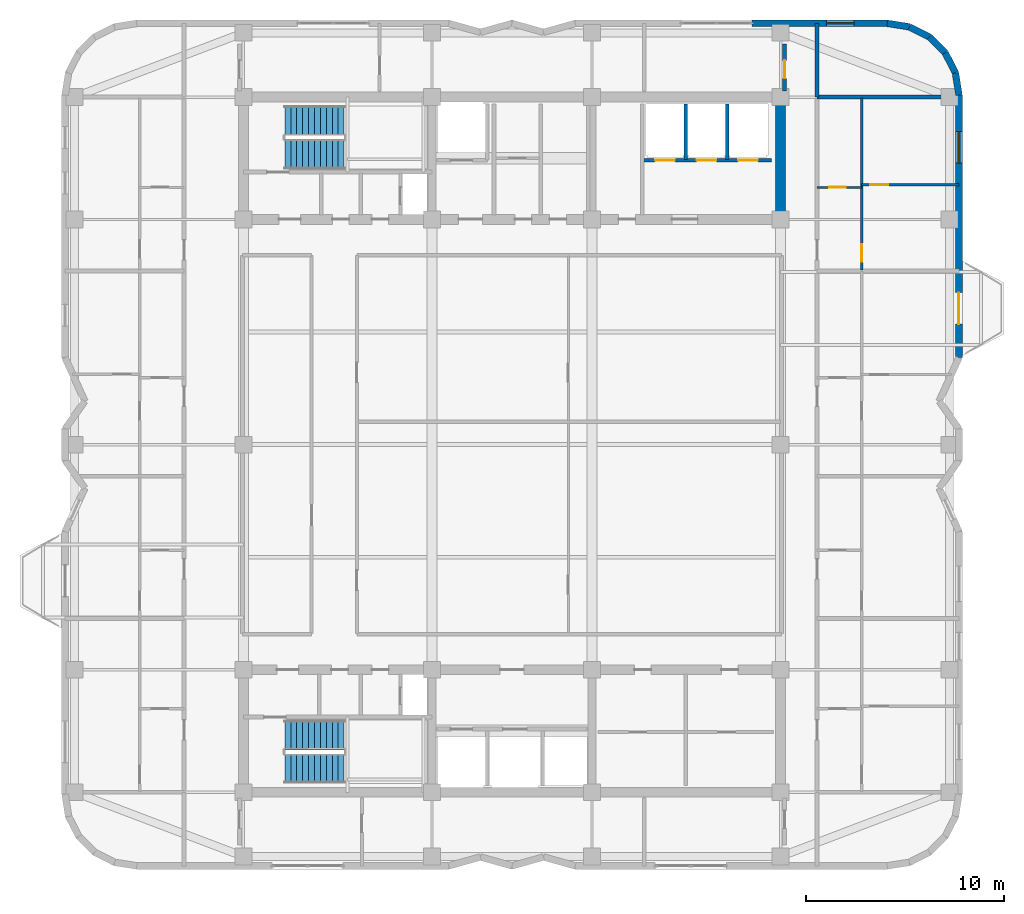
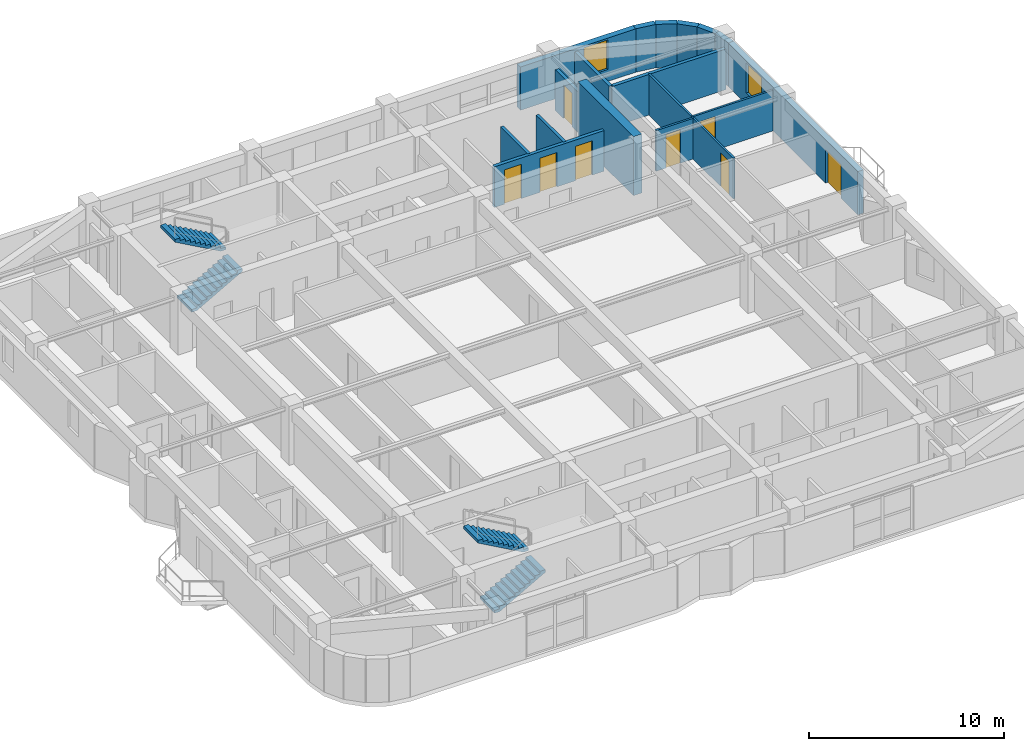
# One storey, part 12 of 14: 17 walls, 8 doors, 4 stair flights, 2 windows, 10 openings, 2 elements without a shape of their own.
"""IFC4 building model written with IfcOpenShell, lengths in metres."""

from ifc_helpers import new_model, si_unit, direction, frame, frame_2d, origin, place, context, subcontext, project, spatial, polyline, rectangle, outline, extrude, material, layer, layer_set, type_object, element, fill, aggregate, save


model = new_model("IFC4")

# Units and contexts
model_context = context("Model", 3, precision=1e-05, world=origin(), true_north=direction((0.0, 1.0)))
body_context = subcontext(model_context, "Body", "Model", "MODEL_VIEW")
ifc_project = project(units=[si_unit("LENGTHUNIT", "METRE"), si_unit("AREAUNIT", "SQUARE_METRE"), si_unit("VOLUMEUNIT", "CUBIC_METRE"), si_unit("PLANEANGLEUNIT", "RADIAN"), si_unit("MASSUNIT", "GRAM", prefix="KILO")], contexts=[model_context])

# Site, building, storey
site_placement = place(None, origin())
site = spatial("IfcSite", under=ifc_project, at=site_placement, CompositionType="ELEMENT")
building_placement = place(site_placement, origin())
building = spatial("IfcBuilding", under=site, at=building_placement, Name="Svetorya Sky Lyceum", CompositionType="ELEMENT")
storey_placement = place(building_placement, frame((0.0, 0.0, 218.39990234375)))
storey = spatial("IfcBuildingStorey", under=building, at=storey_placement, Name="L54", CompositionType="ELEMENT", Elevation=218.39990234375)

# Wall
ifc_material_1 = material(Name="Concrete C50/60", Category="concrete")
ifc_layer_1 = layer(ifc_material_1, 0.5)
ifc_layer_set_1 = layer_set([ifc_layer_1], Name="Concrete C50/60")
wall_type_1 = type_object("IfcWallType", Name="WL-CORE-500", PredefinedType="SHEAR", material=ifc_layer_set_1)
wall_1_placement = place(storey_placement, frame((52.800048828125, 39.85009765625, 0.0), z_axis=(0.0, 0.0, 1.0), x_axis=(0.0, 1.0, 0.0)))
element("IfcWall", 1, at=wall_1_placement, inside=storey, type_object=wall_type_1, Name="L54 NC East Core Shear Wall", PredefinedType="SHEAR", context=body_context, shape_type="SweptSolid", body=[
    extrude(rectangle(XDim=5.699951171875, YDim=0.5, at=frame_2d((2.85009765625, 0.0))), origin(), (0.0, 0.0, 1.0), 3.7001953125),
])

# Wall, openings, door, window
ifc_material_2 = material(Name="Putilovo limestone rainscreen on autoclaved cellular masonry", Category="masonry")
ifc_layer_2 = layer(ifc_material_2, 0.340087890625)
ifc_layer_set_2 = layer_set([ifc_layer_2], Name="Putilovo limestone rainscreen on autoclaved cellular masonry")
wall_type_2 = type_object("IfcWallType", Name="WL-EXT-340", PredefinedType="SOLIDWALL", material=ifc_layer_set_2)
wall_2_placement = place(storey_placement, frame((61.830078125, 32.60009765625, 0.0), z_axis=(0.0, 0.0, 1.0), x_axis=(0.0, 1.0, 0.0)))
wall_2 = element("IfcWall", 2, at=wall_2_placement, inside=storey, type_object=wall_type_2, Name="L54 Limestone Exterior Wall 23M", PredefinedType="SOLIDWALL", context=body_context, shape_type="SweptSolid", body=[
    extrude(rectangle(XDim=13.2998046875, YDim=0.340087890625, at=frame_2d((6.64990234375, 0.0))), origin(), (0.0, 0.0, 1.0), 2.72021484375),
])
opening_1_placement = place(wall_2_placement, frame((1.699951171875, 0.0, 0.0)))
opening_1 = element("IfcOpeningElement", 3, at=opening_1_placement, cuts=wall_2, Name="Opening D-BL1", PredefinedType="OPENING", context=body_context, shape_type="SweptSolid", body=[
    extrude(rectangle(XDim=1.60009765625, YDim=2.10009765625, at=frame_2d((0.800048828125, 1.050048828125))), frame((0.0, 0.179931640625, 0.0), z_axis=(0.0, -1.0, 0.0), x_axis=(1.0, 0.0, 0.0)), (0.0, 0.0, 1.0), 0.360107421875),
])
opening_2_placement = place(wall_2_placement, frame((9.85009765625, 0.0, 0.699951171875)))
opening_2 = element("IfcOpeningElement", 4, at=opening_2_placement, cuts=wall_2, Name="Opening W-R4", PredefinedType="OPENING", context=body_context, shape_type="SweptSolid", body=[
    extrude(rectangle(XDim=1.60009765625, YDim=1.89990234375, at=frame_2d((0.800048828125, 0.949951171875))), frame((0.0, 0.179931640625, 0.0), z_axis=(0.0, -1.0, 0.0), x_axis=(1.0, 0.0, 0.0)), (0.0, 0.0, 1.0), 0.360107421875),
])
ifc_material_3 = material(Name="Insulated glazed aluminium balcony door", Category="aluminium")
door_type_1 = type_object("IfcDoorType", Name="DR-BAL-1600", OperationType="DOUBLE_DOOR_SINGLE_SWING", PredefinedType="DOOR", material=ifc_material_3)
door_1_placement = place(opening_1_placement, origin())
door_1 = element("IfcDoor", 5, at=door_1_placement, inside=storey, type_object=door_type_1, Name="L54 Balcony BAL-E1 Door", OperationType="DOUBLE_DOOR_SINGLE_SWING", OverallHeight=2.10009765625, OverallWidth=1.60009765625, PredefinedType="DOOR", context=body_context, shape_type="SweptSolid", body=[
    extrude(rectangle(XDim=1.60009765625, YDim=2.10009765625, at=frame_2d((0.800048828125, 1.050048828125))), frame((0.0, 0.02490234375, 0.0), z_axis=(0.0, -1.0, 0.0), x_axis=(1.0, 0.0, 0.0)), (0.0, 0.0, 1.0), 0.050048828125),
])
fill(opening_1, door_1)
ifc_material_4 = material(Name="Thermally broken aluminium frame with triple low-E glazing", Category="aluminium")
window_type_1 = type_object("IfcWindowType", Name="WN-RES-160", PartitioningType="DOUBLE_PANEL_VERTICAL", PredefinedType="WINDOW", material=ifc_material_4)
window_1_placement = place(opening_2_placement, origin())
window_1 = element("IfcWindow", 6, at=window_1_placement, inside=storey, type_object=window_type_1, Name="L54 Facade Window W-R4.23M.1", OverallHeight=1.89990234375, OverallWidth=1.60009765625, PartitioningType="SINGLE_PANEL", PredefinedType="WINDOW", context=body_context, shape_type="SweptSolid", body=[
    extrude(rectangle(XDim=1.60009765625, YDim=1.89990234375, at=frame_2d((0.800048828125, 0.949951171875))), frame((0.0, 0.030029296875, 0.0), z_axis=(0.0, -1.0, 0.0), x_axis=(1.0, 0.0, 0.0)), (0.0, 0.0, 1.0), 0.06005859375),
])
fill(opening_2, window_1)

# Walls
for number, where, z_axis, x_axis, name in (
    (7, (61.830078125, 45.89990234375, 0.0), (0.0, 0.0, 1.0), (-0.156481329164, 0.987680916907, 0.0), "L54 Limestone Exterior Wall 24M"),
    (8, (61.65234375, 47.021728515625, 0.0), (0.0, 0.0, 1.0), (-0.453993402883, 0.891005044957, 0.0), "L54 Limestone Exterior Wall 25M"),
):
    element("IfcWall", number, at=place(storey_placement, frame(where, z_axis=z_axis, x_axis=x_axis)), inside=storey, type_object=wall_type_2, Name=name, PredefinedType="SOLIDWALL", context=body_context, shape_type="SweptSolid", body=[
        extrude(rectangle(XDim=1.1357421875, YDim=0.340087890625, at=frame_2d((0.56787109375, 0.0))), origin(), (0.0, 0.0, 1.0), 2.72021484375),
    ])
wall_3_placement = place(storey_placement, frame((61.13671875, 48.03369140625, 0.0), z_axis=(0.0, 0.0, 1.0), x_axis=(-0.707106781187, 0.707106781187, 0.0)))
element("IfcWall", 9, at=wall_3_placement, inside=storey, type_object=wall_type_2, Name="L54 Limestone Exterior Wall 26M", PredefinedType="SOLIDWALL", context=body_context, shape_type="SweptSolid", body=[
    extrude(rectangle(XDim=1.135498046875, YDim=0.340087890625, at=frame_2d((0.56787109375, 0.0))), origin(), (0.0, 0.0, 1.0), 2.72021484375),
])
for number, where, z_axis, x_axis, name in (
    (10, (60.333740234375, 48.836669921875, 0.0), (0.0, 0.0, 1.0), (-0.891005044957, 0.453993402883, 0.0), "L54 Limestone Exterior Wall 27M"),
    (11, (59.32177734375, 49.352294921875, 0.0), (0.0, 0.0, 1.0), (-0.987680916907, 0.156481329164, 0.0), "L54 Limestone Exterior Wall 28M"),
):
    element("IfcWall", number, at=place(storey_placement, frame(where, z_axis=z_axis, x_axis=x_axis)), inside=storey, type_object=wall_type_2, Name=name, PredefinedType="SOLIDWALL", context=body_context, shape_type="SweptSolid", body=[
        extrude(rectangle(XDim=1.1357421875, YDim=0.340087890625, at=frame_2d((0.56787109375, 0.0))), origin(), (0.0, 0.0, 1.0), 2.72021484375),
    ])

# Wall, opening, window
wall_4_placement = place(storey_placement, frame((58.199951171875, 49.530029296875, 0.0), z_axis=(0.0, 0.0, 1.0), x_axis=(-1.0, 0.0, 0.0)))
wall_4 = element("IfcWall", 12, at=wall_4_placement, inside=storey, type_object=wall_type_2, Name="L54 Limestone Exterior Wall 29A", PredefinedType="SOLIDWALL", context=body_context, shape_type="SweptSolid", body=[
    extrude(rectangle(XDim=6.849853515625, YDim=0.340087890625, at=frame_2d((3.4248046875, 0.0))), origin(), (0.0, 0.0, 1.0), 2.72021484375),
])
opening_3_placement = place(wall_4_placement, frame((1.675048828125, 0.0, 0.75)))
opening_3 = element("IfcOpeningElement", 13, at=opening_3_placement, cuts=wall_4, Name="Opening W-R2", PredefinedType="OPENING", context=body_context, shape_type="SweptSolid", body=[
    extrude(rectangle(XDim=1.39990234375, YDim=1.85009765625, at=frame_2d((0.699951171875, 0.925048828125))), frame((0.0, 0.179931640625, 0.0), z_axis=(0.0, -1.0, 0.0), x_axis=(1.0, 0.0, 0.0)), (0.0, 0.0, 1.0), 0.360107421875),
])
window_type_2 = type_object("IfcWindowType", Name="WN-RES-140", PartitioningType="SINGLE_PANEL", PredefinedType="WINDOW", material=ifc_material_4)
window_2_placement = place(opening_3_placement, origin())
window_2 = element("IfcWindow", 14, at=window_2_placement, inside=storey, type_object=window_type_2, Name="L54 Facade Window W-R2.29A.1", OverallHeight=1.85009765625, OverallWidth=1.39990234375, PartitioningType="SINGLE_PANEL", PredefinedType="WINDOW", context=body_context, shape_type="SweptSolid", body=[
    extrude(rectangle(XDim=1.39990234375, YDim=1.85009765625, at=frame_2d((0.699951171875, 0.925048828125))), frame((0.0, 0.030029296875, 0.0), z_axis=(0.0, -1.0, 0.0), x_axis=(1.0, 0.0, 0.0)), (0.0, 0.0, 1.0), 0.06005859375),
])
fill(opening_3, window_2)

# Wall, opening, door
ifc_material_5 = material(Name="Twin-stud galvanized framing with double fireboard", Category="gypsum")
ifc_layer_3 = layer(ifc_material_5, 0.1201171875)
ifc_layer_set_3 = layer_set([ifc_layer_3], Name="Twin-stud galvanized framing with double fireboard")
wall_type_3 = type_object("IfcWallType", Name="WL-PART-120", PredefinedType="PARTITIONING", material=ifc_layer_set_3)
wall_5_placement = place(storey_placement, frame((54.64990234375, 41.219970703125, 0.0), z_axis=(0.0, 0.0, 1.0), x_axis=(1.0, 0.0, 0.0)))
wall_5 = element("IfcWall", 15, at=wall_5_placement, inside=storey, type_object=wall_type_3, Name="L54 Interior Partition E4-WH1", PredefinedType="PARTITIONING", context=body_context, shape_type="SweptSolid", body=[
    extrude(rectangle(XDim=2.25, YDim=0.1201171875, at=frame_2d((1.125, 0.0))), origin(), (0.0, 0.0, 1.0), 2.550048828125),
])
opening_4_placement = place(wall_5_placement, frame((0.60009765625, 0.0, 0.0)))
opening_4 = element("IfcOpeningElement", 16, at=opening_4_placement, cuts=wall_5, Name="Opening D-BT1", PredefinedType="OPENING", context=body_context, shape_type="SweptSolid", body=[
    extrude(rectangle(XDim=0.85009765625, YDim=2.10009765625, at=frame_2d((0.425048828125, 1.050048828125))), frame((0.0, 0.070068359375, 0.0), z_axis=(0.0, -1.0, 0.0), x_axis=(1.0, 0.0, 0.0)), (0.0, 0.0, 1.0), 0.14013671875),
])
ifc_material_6 = material(Name="Moisture-resistant laminate bathroom door")
door_type_2 = type_object("IfcDoorType", Name="DR-WET-850", OperationType="SINGLE_SWING_LEFT", PredefinedType="DOOR", material=ifc_material_6)
door_2_placement = place(opening_4_placement, origin())
door_2 = element("IfcDoor", 17, at=door_2_placement, inside=storey, type_object=door_type_2, Name="Apartment E4 Bathroom Door", OperationType="SINGLE_SWING_LEFT", OverallHeight=2.10009765625, OverallWidth=0.85009765625, PredefinedType="DOOR", context=body_context, shape_type="SweptSolid", body=[
    extrude(rectangle(XDim=0.85009765625, YDim=2.10009765625, at=frame_2d((0.425048828125, 1.050048828125))), frame((0.0, 0.02490234375, 0.0), z_axis=(0.0, -1.0, 0.0), x_axis=(1.0, 0.0, 0.0)), (0.0, 0.0, 1.0), 0.050048828125),
])
fill(opening_4, door_2)

wall_6_placement = place(storey_placement, frame((56.89990234375, 41.35009765625, 0.0), z_axis=(0.0, 0.0, 1.0), x_axis=(1.0, 0.0, 0.0)))
wall_6 = element("IfcWall", 18, at=wall_6_placement, inside=storey, type_object=wall_type_3, Name="L54 Interior Partition E4-WL1", PredefinedType="PARTITIONING", context=body_context, shape_type="SweptSolid", body=[
    extrude(rectangle(XDim=4.93017578125, YDim=0.1201171875, at=frame_2d((2.465087890625, 0.0))), origin(), (0.0, 0.0, 1.0), 2.550048828125),
])
opening_5_placement = place(wall_6_placement, frame((0.449951171875, 0.0, 0.0)))
opening_5 = element("IfcOpeningElement", 19, at=opening_5_placement, cuts=wall_6, Name="Opening D-RM1", PredefinedType="OPENING", context=body_context, shape_type="SweptSolid", body=[
    extrude(rectangle(XDim=0.89990234375, YDim=2.10009765625, at=frame_2d((0.449951171875, 1.050048828125))), frame((0.0, 0.070068359375, 0.0), z_axis=(0.0, -1.0, 0.0), x_axis=(1.0, 0.0, 0.0)), (0.0, 0.0, 1.0), 0.14013671875),
])
ifc_material_7 = material(Name="Lacquered birch veneer internal door")
door_type_3 = type_object("IfcDoorType", Name="DR-INT-900", OperationType="SINGLE_SWING_LEFT", PredefinedType="DOOR", material=ifc_material_7)
door_3_placement = place(opening_5_placement, origin())
door_3 = element("IfcDoor", 20, at=door_3_placement, inside=storey, type_object=door_type_3, Name="Apartment E4 Bedroom 1 Door", OperationType="SINGLE_SWING_LEFT", OverallHeight=2.10009765625, OverallWidth=0.89990234375, PredefinedType="DOOR", context=body_context, shape_type="SweptSolid", body=[
    extrude(rectangle(XDim=0.89990234375, YDim=2.10009765625, at=frame_2d((0.449951171875, 1.050048828125))), frame((0.0, 0.02490234375, 0.0), z_axis=(0.0, -1.0, 0.0), x_axis=(1.0, 0.0, 0.0)), (0.0, 0.0, 1.0), 0.050048828125),
])
fill(opening_5, door_3)

wall_7_placement = place(storey_placement, frame((56.89990234375, 37.0400390625, 0.0), z_axis=(0.0, 0.0, 1.0), x_axis=(0.0, 1.0, 0.0)))
wall_7 = element("IfcWall", 21, at=wall_7_placement, inside=storey, type_object=wall_type_3, Name="L54 Interior Partition E4-WV", PredefinedType="PARTITIONING", context=body_context, shape_type="SweptSolid", body=[
    extrude(rectangle(XDim=8.719970703125, YDim=0.1201171875, at=frame_2d((4.35986328125, 0.0))), origin(), (0.0, 0.0, 1.0), 2.550048828125),
])
opening_6_placement = place(wall_7_placement, frame((0.409912109375, 0.0, 0.0)))
opening_6 = element("IfcOpeningElement", 22, at=opening_6_placement, cuts=wall_7, Name="Opening D-RM1", PredefinedType="OPENING", context=body_context, shape_type="SweptSolid", body=[
    extrude(rectangle(XDim=0.89990234375, YDim=2.10009765625, at=frame_2d((0.449951171875, 1.050048828125))), frame((0.0, 0.070068359375, 0.0), z_axis=(0.0, -1.0, 0.0), x_axis=(1.0, 0.0, 0.0)), (0.0, 0.0, 1.0), 0.14013671875),
])
door_4_placement = place(opening_6_placement, origin())
door_4 = element("IfcDoor", 23, at=door_4_placement, inside=storey, type_object=door_type_3, Name="Apartment E4 Living Door", OperationType="SINGLE_SWING_RIGHT", OverallHeight=2.10009765625, OverallWidth=0.89990234375, PredefinedType="DOOR", context=body_context, shape_type="SweptSolid", body=[
    extrude(rectangle(XDim=0.89990234375, YDim=2.10009765625, at=frame_2d((0.449951171875, 1.050048828125))), frame((0.0, 0.02490234375, 0.0), z_axis=(0.0, -1.0, 0.0), x_axis=(1.0, 0.0, 0.0)), (0.0, 0.0, 1.0), 0.050048828125),
])
fill(opening_6, door_4)

# Walls
ifc_material_8 = material(Name="Autoclaved cellular masonry blockwork with fire render", Category="masonry")
ifc_layer_4 = layer(ifc_material_8, 0.175048828125)
ifc_layer_set_4 = layer_set([ifc_layer_4], Name="Autoclaved cellular masonry blockwork with fire render")
wall_type_4 = type_object("IfcWallType", Name="WL-PART-175", PredefinedType="PARTITIONING", material=ifc_layer_set_4)
for number, where, z_axis, x_axis, name in (
    (24, (48.0, 42.64990234375, 0.0), (0.0, 0.0, 1.0), (0.0, 1.0, 0.0), "L54 Interior Partition NC-PH-D1"),
    (25, (50.10009765625, 42.64990234375, 0.0), (0.0, 0.0, 1.0), (0.0, 1.0, 0.0), "L54 Interior Partition NC-PH-D2"),
):
    element("IfcWall", number, at=place(storey_placement, frame(where, z_axis=z_axis, x_axis=x_axis)), inside=storey, type_object=wall_type_4, Name=name, PredefinedType="PARTITIONING", context=body_context, shape_type="SweptSolid", body=[
        extrude(rectangle(XDim=2.800048828125, YDim=0.175048828125, at=frame_2d((1.39990234375, 0.0))), origin(), (0.0, 0.0, 1.0), 2.550048828125),
    ])

# Wall, openings, doors
ifc_material_9 = material(Name="Autoclaved cellular masonry blockwork with gypsum plaster", Category="masonry")
ifc_layer_5 = layer(ifc_material_9, 0.199951171875)
ifc_layer_set_5 = layer_set([ifc_layer_5], Name="Autoclaved cellular masonry blockwork with gypsum plaster")
wall_type_5 = type_object("IfcWallType", Name="WL-PART-200", PredefinedType="PARTITIONING", material=ifc_layer_set_5)
wall_8_placement = place(storey_placement, frame((52.35009765625, 42.60009765625, 0.0), z_axis=(0.0, 0.0, 1.0), x_axis=(-1.0, 0.0, 0.0)))
wall_8 = element("IfcWall", 26, at=wall_8_placement, inside=storey, type_object=wall_type_5, Name="L54 Interior Partition NC-PHEW", PredefinedType="PARTITIONING", context=body_context, shape_type="SweptSolid", body=[
    extrude(rectangle(XDim=6.5, YDim=0.199951171875, at=frame_2d((3.25, 0.0))), origin(), (0.0, 0.0, 1.0), 2.550048828125),
])
opening_7_placement = place(wall_8_placement, frame((4.89990234375, 0.0, 0.0)))
opening_7 = element("IfcOpeningElement", 27, at=opening_7_placement, cuts=wall_8, Name="Opening LD-P1", PredefinedType="OPENING", context=body_context, shape_type="SweptSolid", body=[
    extrude(rectangle(XDim=1.0, YDim=2.14990234375, at=frame_2d((0.5, 1.074951171875))), frame((0.0, 0.10986328125, 0.0), z_axis=(0.0, -1.0, 0.0), x_axis=(1.0, 0.0, 0.0)), (0.0, 0.0, 1.0), 0.219970703125),
])
opening_8_placement = place(wall_8_placement, frame((2.800048828125, 0.0, 0.0)))
opening_8 = element("IfcOpeningElement", 28, at=opening_8_placement, cuts=wall_8, Name="Opening LD-P1", PredefinedType="OPENING", context=body_context, shape_type="SweptSolid", body=[
    extrude(rectangle(XDim=1.0, YDim=2.14990234375, at=frame_2d((0.5, 1.074951171875))), frame((0.0, 0.10986328125, 0.0), z_axis=(0.0, -1.0, 0.0), x_axis=(1.0, 0.0, 0.0)), (0.0, 0.0, 1.0), 0.219970703125),
])
opening_9_placement = place(wall_8_placement, frame((0.699951171875, 0.0, 0.0)))
opening_9 = element("IfcOpeningElement", 29, at=opening_9_placement, cuts=wall_8, Name="Opening LD-P1", PredefinedType="OPENING", context=body_context, shape_type="SweptSolid", body=[
    extrude(rectangle(XDim=1.0, YDim=2.14990234375, at=frame_2d((0.5, 1.074951171875))), frame((0.0, 0.10986328125, 0.0), z_axis=(0.0, -1.0, 0.0), x_axis=(1.0, 0.0, 0.0)), (0.0, 0.0, 1.0), 0.219970703125),
])
ifc_material_10 = material(Name="Champagne-anodized stainless passenger lift landing door")
door_type_4 = type_object("IfcDoorType", Name="DR-LIFT-1000", OperationType="SLIDING_TO_LEFT", PredefinedType="DOOR", material=ifc_material_10)
door_5_placement = place(opening_7_placement, origin())
door_5 = element("IfcDoor", 30, at=door_5_placement, inside=storey, type_object=door_type_4, Name="L54 Passenger Lift PH1 Landing Door", OperationType="SLIDING_TO_LEFT", OverallHeight=2.14990234375, OverallWidth=1.0, PredefinedType="DOOR", context=body_context, shape_type="SweptSolid", body=[
    extrude(rectangle(XDim=1.0, YDim=2.14990234375, at=frame_2d((0.5, 1.074951171875))), frame((0.0, 0.02490234375, 0.0), z_axis=(0.0, -1.0, 0.0), x_axis=(1.0, 0.0, 0.0)), (0.0, 0.0, 1.0), 0.050048828125),
])
fill(opening_7, door_5)
door_6_placement = place(opening_8_placement, origin())
door_6 = element("IfcDoor", 31, at=door_6_placement, inside=storey, type_object=door_type_4, Name="L54 Passenger Lift PH2 Landing Door", OperationType="SLIDING_TO_LEFT", OverallHeight=2.14990234375, OverallWidth=1.0, PredefinedType="DOOR", context=body_context, shape_type="SweptSolid", body=[
    extrude(rectangle(XDim=1.0, YDim=2.14990234375, at=frame_2d((0.5, 1.074951171875))), frame((0.0, 0.02490234375, 0.0), z_axis=(0.0, -1.0, 0.0), x_axis=(1.0, 0.0, 0.0)), (0.0, 0.0, 1.0), 0.050048828125),
])
fill(opening_8, door_6)
door_7_placement = place(opening_9_placement, origin())
door_7 = element("IfcDoor", 32, at=door_7_placement, inside=storey, type_object=door_type_4, Name="L54 Passenger Lift PH3 Landing Door", OperationType="SLIDING_TO_LEFT", OverallHeight=2.14990234375, OverallWidth=1.0, PredefinedType="DOOR", context=body_context, shape_type="SweptSolid", body=[
    extrude(rectangle(XDim=1.0, YDim=2.14990234375, at=frame_2d((0.5, 1.074951171875))), frame((0.0, 0.02490234375, 0.0), z_axis=(0.0, -1.0, 0.0), x_axis=(1.0, 0.0, 0.0)), (0.0, 0.0, 1.0), 0.050048828125),
])
fill(opening_9, door_7)

# Walls
wall_9_placement = place(storey_placement, frame((54.64990234375, 45.800048828125, 0.0), z_axis=(0.0, 0.0, 1.0), x_axis=(1.0, 0.0, 0.0)))
element("IfcWall", 33, at=wall_9_placement, inside=storey, type_object=wall_type_5, Name="L54 Interior Partition E-CAP-N", PredefinedType="PARTITIONING", context=body_context, shape_type="SweptSolid", body=[
    extrude(rectangle(XDim=6.760009765625, YDim=0.199951171875, at=frame_2d((3.3798828125, 0.0))), origin(), (0.0, 0.0, 1.0), 2.550048828125),
])
wall_10_placement = place(storey_placement, frame((54.64990234375, 45.800048828125, 0.0), z_axis=(0.0, 0.0, 1.0), x_axis=(0.0, 1.0, 0.0)))
element("IfcWall", 34, at=wall_10_placement, inside=storey, type_object=wall_type_5, Name="L54 Interior Partition EC-NE-END", PredefinedType="PARTITIONING", context=body_context, shape_type="SweptSolid", body=[
    extrude(rectangle(XDim=3.72998046875, YDim=0.199951171875, at=frame_2d((1.864990234375, 0.0))), origin(), (0.0, 0.0, 1.0), 2.550048828125),
])

# Wall, opening, door
wall_11_placement = place(storey_placement, frame((53.0, 46.10009765625, 0.0), z_axis=(0.0, 0.0, 1.0), x_axis=(0.0, 1.0, 0.0)))
wall_11 = element("IfcWall", 35, at=wall_11_placement, inside=storey, type_object=wall_type_5, Name="L54 Interior Partition N-EE", PredefinedType="PARTITIONING", context=body_context, shape_type="SweptSolid", body=[
    extrude(rectangle(XDim=2.3798828125, YDim=0.199951171875, at=frame_2d((1.18994140625, 0.0))), origin(), (0.0, 0.0, 1.0), 2.550048828125),
])
opening_10_placement = place(wall_11_placement, frame((0.64990234375, 0.0, 0.0)))
opening_10 = element("IfcOpeningElement", 36, at=opening_10_placement, cuts=wall_11, Name="Opening D-RM1", PredefinedType="OPENING", context=body_context, shape_type="SweptSolid", body=[
    extrude(rectangle(XDim=0.89990234375, YDim=2.10009765625, at=frame_2d((0.449951171875, 1.050048828125))), frame((0.0, 0.10986328125, 0.0), z_axis=(0.0, -1.0, 0.0), x_axis=(1.0, 0.0, 0.0)), (0.0, 0.0, 1.0), 0.219970703125),
])
door_8_placement = place(opening_10_placement, origin())
door_8 = element("IfcDoor", 37, at=door_8_placement, inside=storey, type_object=door_type_3, Name="L54 North Meeting Door", OperationType="SINGLE_SWING_LEFT", OverallHeight=2.10009765625, OverallWidth=0.89990234375, PredefinedType="DOOR", context=body_context, shape_type="SweptSolid", body=[
    extrude(rectangle(XDim=0.89990234375, YDim=2.10009765625, at=frame_2d((0.449951171875, 1.050048828125))), frame((0.0, 0.02490234375, 0.0), z_axis=(0.0, -1.0, 0.0), x_axis=(1.0, 0.0, 0.0)), (0.0, 0.0, 1.0), 0.050048828125),
])
fill(opening_10, door_8)

# Stair, stair flights
ifc_material_11 = material(Name="Concrete C40/50", Category="concrete")
stair_type_1 = type_object("IfcStairType", Name="STR-ST-N", PredefinedType="HALF_TURN_STAIR", material=ifc_material_11)
stair_1_placement = place(storey_placement, origin())
stair_1 = element("IfcStair", 38, at=stair_1_placement, inside=storey, type_object=stair_type_1, Name="L54 North Core Smoke-Free Exit Stair N3", PredefinedType="HALF_TURN_STAIR")
stair_flight_type_1 = type_object("IfcStairFlightType", Name="SFL-ST-N", PredefinedType="STRAIGHT", material=ifc_material_11)
stair_flight_1_placement = place(storey_placement, frame((27.699951171875, 42.89990234375, 0.0), z_axis=(0.0, 0.0, 1.0), x_axis=(1.0, 0.0, 0.0)))
stair_flight_1 = element("IfcStairFlight", 39, at=stair_flight_1_placement, type_object=stair_flight_type_1, Name="ST-N flight 1", NumberOfRisers=11, NumberOfTreads=10, PredefinedType="STRAIGHT", RiserHeight=0.168181818, TreadLength=0.3, context=body_context, shape_type="SweptSolid", body=[
    extrude(outline(polyline([(0.0, 0.0), (0.0, 0.168212890625), (0.300048828125, 0.168212890625), (0.300048828125, 0.33642578125), (0.60009765625, 0.33642578125), (0.60009765625, 0.504638671875), (0.89990234375, 0.504638671875), (0.89990234375, 0.672607421875), (1.199951171875, 0.672607421875), (1.199951171875, 0.8408203125), (1.5, 0.8408203125), (1.5, 1.009033203125), (1.800048828125, 1.009033203125), (1.800048828125, 1.17724609375), (2.10009765625, 1.17724609375), (2.10009765625, 1.345458984375), (2.39990234375, 1.345458984375), (2.39990234375, 1.513671875), (2.699951171875, 1.513671875), (2.699951171875, 1.681884765625), (3.0, 1.681884765625), (3.0, 1.85009765625), (3.0, 1.510009765625), (0.306640625, 0.0), (0.0, 0.0)])), frame((0.0, 0.75, 0.0), z_axis=(0.0, -1.0, 0.0), x_axis=(1.0, 0.0, 0.0)), (0.0, 0.0, 1.0), 1.5),
])
stair_flight_2_placement = place(storey_placement, frame((30.699951171875, 44.60009765625, 1.85009765625), z_axis=(0.0, 0.0, 1.0), x_axis=(-1.0, 0.0, 0.0)))
stair_flight_2 = element("IfcStairFlight", 40, at=stair_flight_2_placement, type_object=stair_flight_type_1, Name="ST-N flight 2", NumberOfRisers=11, NumberOfTreads=10, PredefinedType="STRAIGHT", RiserHeight=0.168181818, TreadLength=0.3, context=body_context, shape_type="SweptSolid", body=[
    extrude(outline(polyline([(0.0, 0.0), (0.0, 0.168212890625), (0.300048828125, 0.168212890625), (0.300048828125, 0.33642578125), (0.60009765625, 0.33642578125), (0.60009765625, 0.504638671875), (0.89990234375, 0.504638671875), (0.89990234375, 0.672607421875), (1.199951171875, 0.672607421875), (1.199951171875, 0.8408203125), (1.5, 0.8408203125), (1.5, 1.009033203125), (1.800048828125, 1.009033203125), (1.800048828125, 1.17724609375), (2.10009765625, 1.17724609375), (2.10009765625, 1.345458984375), (2.39990234375, 1.345458984375), (2.39990234375, 1.513671875), (2.699951171875, 1.513671875), (2.699951171875, 1.681884765625), (3.0, 1.681884765625), (3.0, 1.85009765625), (3.0, 1.510009765625), (0.306640625, 0.0), (0.0, 0.0)])), frame((0.0, 0.75, 0.0), z_axis=(0.0, -1.0, 0.0), x_axis=(1.0, 0.0, 0.0)), (0.0, 0.0, 1.0), 1.5),
])
aggregate(stair_1, [stair_flight_1, stair_flight_2])

stair_type_2 = type_object("IfcStairType", Name="STR-ST-S", PredefinedType="HALF_TURN_STAIR", material=ifc_material_11)
stair_2_placement = place(storey_placement, origin())
stair_2 = element("IfcStair", 41, at=stair_2_placement, inside=storey, type_object=stair_type_2, Name="L54 South Core Smoke-Free Exit Stair N2", PredefinedType="HALF_TURN_STAIR")
stair_flight_type_2 = type_object("IfcStairFlightType", Name="SFL-ST-S", PredefinedType="STRAIGHT", material=ifc_material_11)
stair_flight_3_placement = place(storey_placement, frame((27.699951171875, 11.800048828125, 0.0), z_axis=(0.0, 0.0, 1.0), x_axis=(1.0, 0.0, 0.0)))
stair_flight_3 = element("IfcStairFlight", 42, at=stair_flight_3_placement, type_object=stair_flight_type_2, Name="ST-S flight 1", NumberOfRisers=11, NumberOfTreads=10, PredefinedType="STRAIGHT", RiserHeight=0.168181818, TreadLength=0.3, context=body_context, shape_type="SweptSolid", body=[
    extrude(outline(polyline([(0.0, 0.0), (0.0, 0.168212890625), (0.300048828125, 0.168212890625), (0.300048828125, 0.33642578125), (0.60009765625, 0.33642578125), (0.60009765625, 0.504638671875), (0.89990234375, 0.504638671875), (0.89990234375, 0.672607421875), (1.199951171875, 0.672607421875), (1.199951171875, 0.8408203125), (1.5, 0.8408203125), (1.5, 1.009033203125), (1.800048828125, 1.009033203125), (1.800048828125, 1.17724609375), (2.10009765625, 1.17724609375), (2.10009765625, 1.345458984375), (2.39990234375, 1.345458984375), (2.39990234375, 1.513671875), (2.699951171875, 1.513671875), (2.699951171875, 1.681884765625), (3.0, 1.681884765625), (3.0, 1.85009765625), (3.0, 1.510009765625), (0.306640625, 0.0), (0.0, 0.0)])), frame((0.0, 0.75, 0.0), z_axis=(0.0, -1.0, 0.0), x_axis=(1.0, 0.0, 0.0)), (0.0, 0.0, 1.0), 1.5),
])
stair_flight_4_placement = place(storey_placement, frame((30.699951171875, 13.5, 1.85009765625), z_axis=(0.0, 0.0, 1.0), x_axis=(-1.0, 0.0, 0.0)))
stair_flight_4 = element("IfcStairFlight", 43, at=stair_flight_4_placement, type_object=stair_flight_type_2, Name="ST-S flight 2", NumberOfRisers=11, NumberOfTreads=10, PredefinedType="STRAIGHT", RiserHeight=0.168181818, TreadLength=0.3, context=body_context, shape_type="SweptSolid", body=[
    extrude(outline(polyline([(0.0, 0.0), (0.0, 0.168212890625), (0.300048828125, 0.168212890625), (0.300048828125, 0.33642578125), (0.60009765625, 0.33642578125), (0.60009765625, 0.504638671875), (0.89990234375, 0.504638671875), (0.89990234375, 0.672607421875), (1.199951171875, 0.672607421875), (1.199951171875, 0.8408203125), (1.5, 0.8408203125), (1.5, 1.009033203125), (1.800048828125, 1.009033203125), (1.800048828125, 1.17724609375), (2.10009765625, 1.17724609375), (2.10009765625, 1.345458984375), (2.39990234375, 1.345458984375), (2.39990234375, 1.513671875), (2.699951171875, 1.513671875), (2.699951171875, 1.681884765625), (3.0, 1.681884765625), (3.0, 1.85009765625), (3.0, 1.510009765625), (0.306640625, 0.0), (0.0, 0.0)])), frame((0.0, 0.75, 0.0), z_axis=(0.0, -1.0, 0.0), x_axis=(1.0, 0.0, 0.0)), (0.0, 0.0, 1.0), 1.5),
])
aggregate(stair_2, [stair_flight_3, stair_flight_4])

save(model, "model.ifc")
